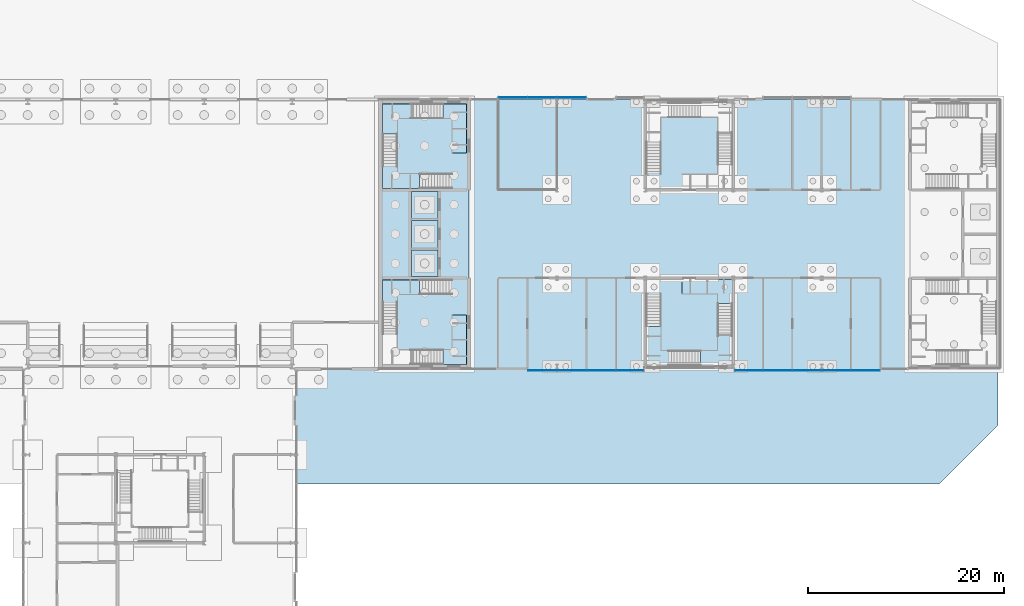
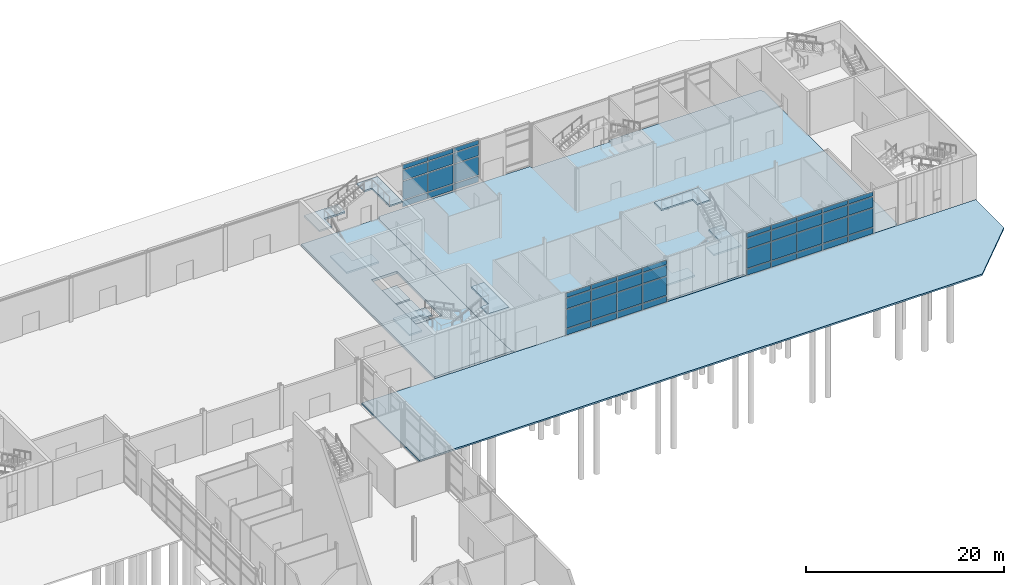
# One storey, part 24 of 45: 48 plates, 14 slabs, 6 elements without a shape of their own.
"""IFC4 building model written with IfcOpenShell, lengths in metres."""

from ifc_helpers import new_model, si_unit, direction, frame, origin, origin_2d, place, context, subcontext, project, spatial, polyline, rectangle, outline, extrude, material, layer, layer_set, type_object, element, aggregate, save


model = new_model("IFC4")

# Units and contexts
model_context = context("Model", 3, precision=1e-05, world=origin(), true_north=direction((0.0, 1.0)))
body_context = subcontext(model_context, "Body", "Model", "MODEL_VIEW")
ifc_project = project(units=[si_unit("LENGTHUNIT", "METRE"), si_unit("AREAUNIT", "SQUARE_METRE"), si_unit("VOLUMEUNIT", "CUBIC_METRE"), si_unit("PLANEANGLEUNIT", "RADIAN"), si_unit("MASSUNIT", "GRAM", prefix="KILO")], contexts=[model_context])

# Site, building, storey
site_placement = place(None, origin())
site = spatial("IfcSite", under=ifc_project, at=site_placement, CompositionType="ELEMENT")
building_placement = place(site_placement, origin())
building = spatial("IfcBuilding", under=site, at=building_placement, Name="Azimuth Sports and Learning Centre", CompositionType="ELEMENT")
storey_placement = place(building_placement, origin())
storey = spatial("IfcBuildingStorey", under=building, at=storey_placement, Name="L00", CompositionType="ELEMENT", Elevation=0.0)

# Stair, slabs
ifc_material_1 = material(Name="Concrete C32/40", Category="concrete")
stair_type_1 = type_object("IfcStairType", Name="Square-well stair core 5400 storey", PredefinedType="THREE_QUARTER_TURN_STAIR", material=ifc_material_1)
stair_1_placement = place(storey_placement, origin())
stair_1 = element("IfcStair", 1, at=stair_1_placement, inside=storey, type_object=stair_type_1, Name="Stair E1 L00-L01", PredefinedType="THREE_QUARTER_TURN_STAIR")
ifc_material_2 = material(Name="Concrete C32/40", Category="concrete")
ifc_layer_1 = layer(ifc_material_2, 0.199951171875)
ifc_layer_set_1 = layer_set([ifc_layer_1], Name="Concrete C32/40")
slab_type_1 = type_object("IfcSlabType", Name="Concrete stair landing", PredefinedType="LANDING", material=ifc_layer_set_1)
slab_1_placement = place(storey_placement, frame((0.0, 0.0, 1.60009765625)))
slab_1 = element("IfcSlab", 2, at=slab_1_placement, type_object=slab_type_1, Name="Stair E1 L00 landing 1", PredefinedType="LANDING", context=body_context, shape_type="SweptSolid", body=[
    extrude(outline(polyline([(109.7099609375, 97.340087890625), (111.99072265625, 97.340087890625), (111.99072265625, 98.840087890625), (108.2099609375, 98.840087890625), (108.2099609375, 95.489990234375), (109.7099609375, 95.489990234375), (109.7099609375, 97.340087890625)])), origin(), (0.0, 0.0, 1.0), 0.199951171875),
])
slab_2_placement = place(storey_placement, frame((0.0, 0.0, 5.199951171875)))
slab_2 = element("IfcSlab", 3, at=slab_2_placement, type_object=slab_type_1, Name="Stair E1 L00 landing 3", PredefinedType="LANDING", context=body_context, shape_type="SweptSolid", body=[
    extrude(outline(polyline([(115.2900390625, 91.7099609375), (114.359375, 91.7099609375), (114.359375, 90.2099609375), (116.7900390625, 90.2099609375), (116.7900390625, 95.25), (115.2900390625, 95.25), (115.2900390625, 91.7099609375)])), origin(), (0.0, 0.0, 1.0), 0.199951171875),
])
aggregate(stair_1, [slab_1, slab_2])

stair_2_placement = place(storey_placement, origin())
stair_2 = element("IfcStair", 4, at=stair_2_placement, inside=storey, type_object=stair_type_1, Name="Stair E2 L00-L01", PredefinedType="THREE_QUARTER_TURN_STAIR")
slab_3_placement = place(storey_placement, frame((0.0, 0.0, 1.60009765625)))
slab_3 = element("IfcSlab", 5, at=slab_3_placement, type_object=slab_type_1, Name="Stair E2 L00 landing 1", PredefinedType="LANDING", context=body_context, shape_type="SweptSolid", body=[
    extrude(outline(polyline([(109.7099609375, 109.659912109375), (109.7099609375, 111.510009765625), (108.2099609375, 111.510009765625), (108.2099609375, 108.159912109375), (111.99072265625, 108.159912109375), (111.99072265625, 109.659912109375), (109.7099609375, 109.659912109375)])), origin(), (0.0, 0.0, 1.0), 0.199951171875),
])
slab_4_placement = place(storey_placement, frame((0.0, 0.0, 3.39990234375)))
slab_4 = element("IfcSlab", 6, at=slab_4_placement, type_object=slab_type_1, Name="Stair E2 L00 landing 2", PredefinedType="LANDING", context=body_context, shape_type="SweptSolid", body=[
    extrude(outline(polyline([(109.7099609375, 115.2900390625), (112.159912109375, 115.2900390625), (112.159912109375, 116.7900390625), (108.2099609375, 116.7900390625), (108.2099609375, 113.709228515625), (109.7099609375, 113.709228515625), (109.7099609375, 115.2900390625)])), origin(), (0.0, 0.0, 1.0), 0.2001953125),
])
slab_5_placement = place(storey_placement, frame((0.0, 0.0, 5.199951171875)))
slab_5 = element("IfcSlab", 7, at=slab_5_placement, type_object=slab_type_1, Name="Stair E2 L00 landing 3", PredefinedType="LANDING", context=body_context, shape_type="SweptSolid", body=[
    extrude(outline(polyline([(115.2900390625, 115.2900390625), (115.2900390625, 111.75), (116.7900390625, 111.75), (116.7900390625, 116.7900390625), (114.359375, 116.7900390625), (114.359375, 115.2900390625), (115.2900390625, 115.2900390625)])), origin(), (0.0, 0.0, 1.0), 0.199951171875),
])
aggregate(stair_2, [slab_3, slab_4, slab_5])

ifc_material_3 = material(Name="Concrete C32/40", Category="concrete")
stair_type_2 = type_object("IfcStairType", Name="Square-well stair mid-wing cell 5400 storey", PredefinedType="THREE_QUARTER_TURN_STAIR", material=ifc_material_3)
stair_3_placement = place(storey_placement, origin())
stair_3 = element("IfcStair", 8, at=stair_3_placement, inside=storey, type_object=stair_type_2, Name="Stair EM1 L00-L01", PredefinedType="THREE_QUARTER_TURN_STAIR")
slab_6_placement = place(storey_placement, frame((0.0, 0.0, 1.60009765625)))
slab_6 = element("IfcSlab", 9, at=slab_6_placement, type_object=slab_type_1, Name="Stair EM1 L00 landing 1", PredefinedType="LANDING", context=body_context, shape_type="SweptSolid", body=[
    extrude(outline(polyline([(136.610107421875, 91.610107421875), (136.610107421875, 94.0908203125), (135.110107421875, 94.0908203125), (135.110107421875, 90.110107421875), (138.4599609375, 90.110107421875), (138.4599609375, 91.610107421875), (136.610107421875, 91.610107421875)])), origin(), (0.0, 0.0, 1.0), 0.199951171875),
])
slab_7_placement = place(storey_placement, frame((0.0, 0.0, 3.39990234375)))
slab_7 = element("IfcSlab", 10, at=slab_7_placement, type_object=slab_type_1, Name="Stair EM1 L00 landing 2", PredefinedType="LANDING", context=body_context, shape_type="SweptSolid", body=[
    extrude(outline(polyline([(142.389892578125, 91.610107421875), (140.6591796875, 91.610107421875), (140.6591796875, 90.110107421875), (143.889892578125, 90.110107421875), (143.889892578125, 94.2099609375), (142.389892578125, 94.2099609375), (142.389892578125, 91.610107421875)])), origin(), (0.0, 0.0, 1.0), 0.2001953125),
])
slab_8_placement = place(storey_placement, frame((0.0, 0.0, 5.199951171875)))
slab_8 = element("IfcSlab", 11, at=slab_8_placement, type_object=slab_type_1, Name="Stair EM1 L00 landing 3", PredefinedType="LANDING", context=body_context, shape_type="SweptSolid", body=[
    extrude(outline(polyline([(142.389892578125, 97.389892578125), (142.389892578125, 96.4091796875), (143.889892578125, 96.4091796875), (143.889892578125, 98.889892578125), (138.75, 98.889892578125), (138.75, 97.389892578125), (142.389892578125, 97.389892578125)])), origin(), (0.0, 0.0, 1.0), 0.199951171875),
])
aggregate(stair_3, [slab_6, slab_7, slab_8])

# Slabs
ifc_material_4 = material(Name="Concrete C30/37", Category="concrete")
ifc_layer_2 = layer(ifc_material_4, 0.300048828125)
ifc_layer_set_2 = layer_set([ifc_layer_2], Name="Concrete C30/37")
slab_type_2 = type_object("IfcSlabType", Name="Core ground slab 300", PredefinedType="BASESLAB", material=ifc_layer_set_2)
slab_9_placement = place(storey_placement, frame((0.0, 0.0, -0.300048828125)))
element("IfcSlab", 12, at=slab_9_placement, inside=storey, type_object=slab_type_2, Name="Slab East core L00", PredefinedType="BASESLAB", context=body_context, shape_type="SweptSolid", body=[
    extrude(outline(polyline([(108.0, 90.0), (117.0, 90.0), (117.0, 117.0), (108.0, 117.0), (108.0, 90.0)]), holes=[polyline([(111.0, 99.0), (111.0, 108.0), (114.0, 108.0), (114.0, 99.0), (111.0, 99.0)])]), origin(), (0.0, 0.0, 1.0), 0.300048828125),
])
ifc_material_5 = material(Name="Concrete C32/40", Category="concrete")
ifc_layer_3 = layer(ifc_material_5, 0.300048828125)
ifc_layer_set_3 = layer_set([ifc_layer_3], Name="Concrete C32/40")
slab_type_3 = type_object("IfcSlabType", Name="Lift pit slab 300", PredefinedType="BASESLAB", material=ifc_layer_set_3)
slab_10_placement = place(storey_placement, frame((0.0, 0.0, -1.89990234375)))
element("IfcSlab", 13, at=slab_10_placement, inside=storey, type_object=slab_type_3, Name="Lift pit floor LE1", PredefinedType="BASESLAB", context=body_context, shape_type="SweptSolid", body=[
    extrude(outline(polyline([(111.14990234375, 99.14990234375), (113.85009765625, 99.14990234375), (113.85009765625, 101.89990234375), (111.14990234375, 101.89990234375), (111.14990234375, 99.14990234375)])), origin(), (0.0, 0.0, 1.0), 0.2998046875),
])
slab_11_placement = place(storey_placement, frame((0.0, 0.0, -1.89990234375)))
element("IfcSlab", 14, at=slab_11_placement, inside=storey, type_object=slab_type_3, Name="Lift pit floor LE2", PredefinedType="BASESLAB", context=body_context, shape_type="SweptSolid", body=[
    extrude(outline(polyline([(111.14990234375, 102.10009765625), (113.85009765625, 102.10009765625), (113.85009765625, 104.89990234375), (111.14990234375, 104.89990234375), (111.14990234375, 102.10009765625)])), origin(), (0.0, 0.0, 1.0), 0.2998046875),
])
slab_12_placement = place(storey_placement, frame((0.0, 0.0, -1.89990234375)))
element("IfcSlab", 15, at=slab_12_placement, inside=storey, type_object=slab_type_3, Name="Lift pit floor LE3", PredefinedType="BASESLAB", context=body_context, shape_type="SweptSolid", body=[
    extrude(outline(polyline([(111.14990234375, 105.10009765625), (113.85009765625, 105.10009765625), (113.85009765625, 107.85009765625), (111.14990234375, 107.85009765625), (111.14990234375, 105.10009765625)])), origin(), (0.0, 0.0, 1.0), 0.2998046875),
])
ifc_material_6 = material(Name="Concrete C25/30", Category="concrete")
ifc_layer_4 = layer(ifc_material_6, 0.199951171875)
ifc_layer_set_4 = layer_set([ifc_layer_4], Name="Concrete C25/30")
slab_type_4 = type_object("IfcSlabType", Name="Paving slab 200", PredefinedType="USERDEFINED", material=ifc_layer_set_4)
slab_13_placement = place(storey_placement, frame((0.0, 0.0, -0.199951171875)))
element("IfcSlab", 16, at=slab_13_placement, inside=storey, type_object=slab_type_4, Name="Slab South-east paving L00", ObjectType="PAVING", PredefinedType="USERDEFINED", context=body_context, shape_type="SweptSolid", body=[
    extrude(outline(polyline([(99.300048828125, 78.0), (165.0, 78.0), (171.0, 84.0), (171.0, 89.699951171875), (99.300048828125, 89.699951171875), (99.300048828125, 78.0)])), origin(), (0.0, 0.0, 1.0), 0.199951171875),
])

# Curtain wall, plates
ifc_material_7 = material(Name="Aluminium and glass", Category="aluminium")
curtain_wall_type = type_object("IfcCurtainWallType", Name="Curtain wall podium wing 240", PredefinedType="NOTDEFINED", material=ifc_material_7)
curtain_wall_1_placement = place(storey_placement, origin())
curtain_wall_1 = element("IfcCurtainWall", 17, at=curtain_wall_1_placement, inside=storey, type_object=curtain_wall_type, Name="Curtain wall CW00-009", PredefinedType="NOTDEFINED")
ifc_material_8 = material(Name="Insulated aluminium panel", Category="aluminium")
ifc_layer_5 = layer(ifc_material_8, 0.06005859375)
ifc_layer_set_5 = layer_set([ifc_layer_5], Name="Insulated aluminium panel")
plate_type_1 = type_object("IfcPlateType", Name="Spandrel panel 60 mm", PredefinedType="CURTAIN_PANEL", material=ifc_layer_set_5)
plate_1_placement = place(storey_placement, frame((124.52001953125, 89.580078125, 0.1201171875), z_axis=(0.0, 0.0, 1.0), x_axis=(1.0, 0.0, 0.0)))
plate_1 = element("IfcPlate", 18, at=plate_1_placement, type_object=plate_type_1, Name="CW00-009 panel 1.1", PredefinedType="CURTAIN_PANEL", context=body_context, shape_type="SweptSolid", body=[
    extrude(rectangle(XDim=2.8798828125, YDim=0.06005859375, at=origin_2d()), origin(), (0.0, 0.0, 1.0), 0.719970703125),
])
plate_2_placement = place(storey_placement, frame((124.52001953125, 89.580078125, 4.760009765625), z_axis=(0.0, 0.0, 1.0), x_axis=(1.0, 0.0, 0.0)))
plate_2 = element("IfcPlate", 19, at=plate_2_placement, type_object=plate_type_1, Name="CW00-009 panel 1.4", PredefinedType="CURTAIN_PANEL", context=body_context, shape_type="SweptSolid", body=[
    extrude(rectangle(XDim=2.8798828125, YDim=0.06005859375, at=origin_2d()), origin(), (0.0, 0.0, 1.0), 0.52001953125),
])
plate_3_placement = place(storey_placement, frame((127.5, 89.580078125, 0.1201171875), z_axis=(0.0, 0.0, 1.0), x_axis=(1.0, 0.0, 0.0)))
plate_3 = element("IfcPlate", 20, at=plate_3_placement, type_object=plate_type_1, Name="CW00-009 panel 2.1", PredefinedType="CURTAIN_PANEL", context=body_context, shape_type="SweptSolid", body=[
    extrude(rectangle(XDim=2.919921875, YDim=0.06005859375, at=origin_2d()), origin(), (0.0, 0.0, 1.0), 0.719970703125),
])
plate_4_placement = place(storey_placement, frame((127.5, 89.580078125, 4.760009765625), z_axis=(0.0, 0.0, 1.0), x_axis=(1.0, 0.0, 0.0)))
plate_4 = element("IfcPlate", 21, at=plate_4_placement, type_object=plate_type_1, Name="CW00-009 panel 2.4", PredefinedType="CURTAIN_PANEL", context=body_context, shape_type="SweptSolid", body=[
    extrude(rectangle(XDim=2.919921875, YDim=0.06005859375, at=origin_2d()), origin(), (0.0, 0.0, 1.0), 0.52001953125),
])
plate_5_placement = place(storey_placement, frame((130.5, 89.580078125, 0.1201171875), z_axis=(0.0, 0.0, 1.0), x_axis=(1.0, 0.0, 0.0)))
plate_5 = element("IfcPlate", 22, at=plate_5_placement, type_object=plate_type_1, Name="CW00-009 panel 3.1", PredefinedType="CURTAIN_PANEL", context=body_context, shape_type="SweptSolid", body=[
    extrude(rectangle(XDim=2.919921875, YDim=0.06005859375, at=origin_2d()), origin(), (0.0, 0.0, 1.0), 0.719970703125),
])
plate_6_placement = place(storey_placement, frame((130.5, 89.580078125, 4.760009765625), z_axis=(0.0, 0.0, 1.0), x_axis=(1.0, 0.0, 0.0)))
plate_6 = element("IfcPlate", 23, at=plate_6_placement, type_object=plate_type_1, Name="CW00-009 panel 3.4", PredefinedType="CURTAIN_PANEL", context=body_context, shape_type="SweptSolid", body=[
    extrude(rectangle(XDim=2.919921875, YDim=0.06005859375, at=origin_2d()), origin(), (0.0, 0.0, 1.0), 0.52001953125),
])
plate_7_placement = place(storey_placement, frame((133.429931640625, 89.580078125, 0.1201171875), z_axis=(0.0, 0.0, 1.0), x_axis=(1.0, 0.0, 0.0)))
plate_7 = element("IfcPlate", 24, at=plate_7_placement, type_object=plate_type_1, Name="CW00-009 panel 4.1", PredefinedType="CURTAIN_PANEL", context=body_context, shape_type="SweptSolid", body=[
    extrude(rectangle(XDim=2.780029296875, YDim=0.06005859375, at=origin_2d()), origin(), (0.0, 0.0, 1.0), 0.719970703125),
])
plate_8_placement = place(storey_placement, frame((133.429931640625, 89.580078125, 4.760009765625), z_axis=(0.0, 0.0, 1.0), x_axis=(1.0, 0.0, 0.0)))
plate_8 = element("IfcPlate", 25, at=plate_8_placement, type_object=plate_type_1, Name="CW00-009 panel 4.4", PredefinedType="CURTAIN_PANEL", context=body_context, shape_type="SweptSolid", body=[
    extrude(rectangle(XDim=2.780029296875, YDim=0.06005859375, at=origin_2d()), origin(), (0.0, 0.0, 1.0), 0.52001953125),
])

curtain_wall_2_placement = place(storey_placement, origin())
curtain_wall_2 = element("IfcCurtainWall", 26, at=curtain_wall_2_placement, inside=storey, type_object=curtain_wall_type, Name="Curtain wall CW00-010", PredefinedType="NOTDEFINED")
plate_9_placement = place(storey_placement, frame((145.570068359375, 89.580078125, 0.1201171875), z_axis=(0.0, 0.0, 1.0), x_axis=(1.0, 0.0, 0.0)))
plate_9 = element("IfcPlate", 27, at=plate_9_placement, type_object=plate_type_1, Name="CW00-010 panel 1.1", PredefinedType="CURTAIN_PANEL", context=body_context, shape_type="SweptSolid", body=[
    extrude(rectangle(XDim=2.780029296875, YDim=0.06005859375, at=origin_2d()), origin(), (0.0, 0.0, 1.0), 0.719970703125),
])
plate_10_placement = place(storey_placement, frame((145.570068359375, 89.580078125, 4.760009765625), z_axis=(0.0, 0.0, 1.0), x_axis=(1.0, 0.0, 0.0)))
plate_10 = element("IfcPlate", 28, at=plate_10_placement, type_object=plate_type_1, Name="CW00-010 panel 1.4", PredefinedType="CURTAIN_PANEL", context=body_context, shape_type="SweptSolid", body=[
    extrude(rectangle(XDim=2.780029296875, YDim=0.06005859375, at=origin_2d()), origin(), (0.0, 0.0, 1.0), 0.52001953125),
])
plate_11_placement = place(storey_placement, frame((148.5, 89.580078125, 0.1201171875), z_axis=(0.0, 0.0, 1.0), x_axis=(1.0, 0.0, 0.0)))
plate_11 = element("IfcPlate", 29, at=plate_11_placement, type_object=plate_type_1, Name="CW00-010 panel 2.1", PredefinedType="CURTAIN_PANEL", context=body_context, shape_type="SweptSolid", body=[
    extrude(rectangle(XDim=2.919921875, YDim=0.06005859375, at=origin_2d()), origin(), (0.0, 0.0, 1.0), 0.719970703125),
])
plate_12_placement = place(storey_placement, frame((148.5, 89.580078125, 4.760009765625), z_axis=(0.0, 0.0, 1.0), x_axis=(1.0, 0.0, 0.0)))
plate_12 = element("IfcPlate", 30, at=plate_12_placement, type_object=plate_type_1, Name="CW00-010 panel 2.4", PredefinedType="CURTAIN_PANEL", context=body_context, shape_type="SweptSolid", body=[
    extrude(rectangle(XDim=2.919921875, YDim=0.06005859375, at=origin_2d()), origin(), (0.0, 0.0, 1.0), 0.52001953125),
])
plate_13_placement = place(storey_placement, frame((151.5, 89.580078125, 0.1201171875), z_axis=(0.0, 0.0, 1.0), x_axis=(1.0, 0.0, 0.0)))
plate_13 = element("IfcPlate", 31, at=plate_13_placement, type_object=plate_type_1, Name="CW00-010 panel 3.1", PredefinedType="CURTAIN_PANEL", context=body_context, shape_type="SweptSolid", body=[
    extrude(rectangle(XDim=2.919921875, YDim=0.06005859375, at=origin_2d()), origin(), (0.0, 0.0, 1.0), 0.719970703125),
])
plate_14_placement = place(storey_placement, frame((151.5, 89.580078125, 4.760009765625), z_axis=(0.0, 0.0, 1.0), x_axis=(1.0, 0.0, 0.0)))
plate_14 = element("IfcPlate", 32, at=plate_14_placement, type_object=plate_type_1, Name="CW00-010 panel 3.4", PredefinedType="CURTAIN_PANEL", context=body_context, shape_type="SweptSolid", body=[
    extrude(rectangle(XDim=2.919921875, YDim=0.06005859375, at=origin_2d()), origin(), (0.0, 0.0, 1.0), 0.52001953125),
])
plate_15_placement = place(storey_placement, frame((154.5, 89.580078125, 0.1201171875), z_axis=(0.0, 0.0, 1.0), x_axis=(1.0, 0.0, 0.0)))
plate_15 = element("IfcPlate", 33, at=plate_15_placement, type_object=plate_type_1, Name="CW00-010 panel 4.1", PredefinedType="CURTAIN_PANEL", context=body_context, shape_type="SweptSolid", body=[
    extrude(rectangle(XDim=2.919921875, YDim=0.06005859375, at=origin_2d()), origin(), (0.0, 0.0, 1.0), 0.719970703125),
])
plate_16_placement = place(storey_placement, frame((154.5, 89.580078125, 4.760009765625), z_axis=(0.0, 0.0, 1.0), x_axis=(1.0, 0.0, 0.0)))
plate_16 = element("IfcPlate", 34, at=plate_16_placement, type_object=plate_type_1, Name="CW00-010 panel 4.4", PredefinedType="CURTAIN_PANEL", context=body_context, shape_type="SweptSolid", body=[
    extrude(rectangle(XDim=2.919921875, YDim=0.06005859375, at=origin_2d()), origin(), (0.0, 0.0, 1.0), 0.52001953125),
])
plate_17_placement = place(storey_placement, frame((157.47998046875, 89.580078125, 0.1201171875), z_axis=(0.0, 0.0, 1.0), x_axis=(1.0, 0.0, 0.0)))
plate_17 = element("IfcPlate", 35, at=plate_17_placement, type_object=plate_type_1, Name="CW00-010 panel 5.1", PredefinedType="CURTAIN_PANEL", context=body_context, shape_type="SweptSolid", body=[
    extrude(rectangle(XDim=2.8798828125, YDim=0.06005859375, at=origin_2d()), origin(), (0.0, 0.0, 1.0), 0.719970703125),
])
plate_18_placement = place(storey_placement, frame((157.47998046875, 89.580078125, 4.760009765625), z_axis=(0.0, 0.0, 1.0), x_axis=(1.0, 0.0, 0.0)))
plate_18 = element("IfcPlate", 36, at=plate_18_placement, type_object=plate_type_1, Name="CW00-010 panel 5.4", PredefinedType="CURTAIN_PANEL", context=body_context, shape_type="SweptSolid", body=[
    extrude(rectangle(XDim=2.8798828125, YDim=0.06005859375, at=origin_2d()), origin(), (0.0, 0.0, 1.0), 0.52001953125),
])

curtain_wall_3_placement = place(storey_placement, origin())
curtain_wall_3 = element("IfcCurtainWall", 37, at=curtain_wall_3_placement, inside=storey, type_object=curtain_wall_type, Name="Curtain wall CW00-013", PredefinedType="NOTDEFINED")
plate_19_placement = place(storey_placement, frame((127.47998046875, 117.419921875, 0.1201171875), z_axis=(0.0, 0.0, 1.0), x_axis=(-1.0, 0.0, 0.0)))
plate_19 = element("IfcPlate", 38, at=plate_19_placement, type_object=plate_type_1, Name="CW00-013 panel 1.1", PredefinedType="CURTAIN_PANEL", context=body_context, shape_type="SweptSolid", body=[
    extrude(rectangle(XDim=2.8798828125, YDim=0.06005859375, at=origin_2d()), origin(), (0.0, 0.0, 1.0), 0.719970703125),
])
plate_20_placement = place(storey_placement, frame((127.47998046875, 117.419921875, 4.760009765625), z_axis=(0.0, 0.0, 1.0), x_axis=(-1.0, 0.0, 0.0)))
plate_20 = element("IfcPlate", 39, at=plate_20_placement, type_object=plate_type_1, Name="CW00-013 panel 1.4", PredefinedType="CURTAIN_PANEL", context=body_context, shape_type="SweptSolid", body=[
    extrude(rectangle(XDim=2.8798828125, YDim=0.06005859375, at=origin_2d()), origin(), (0.0, 0.0, 1.0), 0.52001953125),
])
plate_21_placement = place(storey_placement, frame((124.5, 117.419921875, 0.1201171875), z_axis=(0.0, 0.0, 1.0), x_axis=(-1.0, 0.0, 0.0)))
plate_21 = element("IfcPlate", 40, at=plate_21_placement, type_object=plate_type_1, Name="CW00-013 panel 2.1", PredefinedType="CURTAIN_PANEL", context=body_context, shape_type="SweptSolid", body=[
    extrude(rectangle(XDim=2.919921875, YDim=0.06005859375, at=origin_2d()), origin(), (0.0, 0.0, 1.0), 0.719970703125),
])
plate_22_placement = place(storey_placement, frame((124.5, 117.419921875, 4.760009765625), z_axis=(0.0, 0.0, 1.0), x_axis=(-1.0, 0.0, 0.0)))
plate_22 = element("IfcPlate", 41, at=plate_22_placement, type_object=plate_type_1, Name="CW00-013 panel 2.4", PredefinedType="CURTAIN_PANEL", context=body_context, shape_type="SweptSolid", body=[
    extrude(rectangle(XDim=2.919921875, YDim=0.06005859375, at=origin_2d()), origin(), (0.0, 0.0, 1.0), 0.52001953125),
])
plate_23_placement = place(storey_placement, frame((121.52001953125, 117.419921875, 0.1201171875), z_axis=(0.0, 0.0, 1.0), x_axis=(-1.0, 0.0, 0.0)))
plate_23 = element("IfcPlate", 42, at=plate_23_placement, type_object=plate_type_1, Name="CW00-013 panel 3.1", PredefinedType="CURTAIN_PANEL", context=body_context, shape_type="SweptSolid", body=[
    extrude(rectangle(XDim=2.8798828125, YDim=0.06005859375, at=origin_2d()), origin(), (0.0, 0.0, 1.0), 0.719970703125),
])
plate_24_placement = place(storey_placement, frame((121.52001953125, 117.419921875, 4.760009765625), z_axis=(0.0, 0.0, 1.0), x_axis=(-1.0, 0.0, 0.0)))
plate_24 = element("IfcPlate", 43, at=plate_24_placement, type_object=plate_type_1, Name="CW00-013 panel 3.4", PredefinedType="CURTAIN_PANEL", context=body_context, shape_type="SweptSolid", body=[
    extrude(rectangle(XDim=2.8798828125, YDim=0.06005859375, at=origin_2d()), origin(), (0.0, 0.0, 1.0), 0.52001953125),
])

# Plate
ifc_material_9 = material(Name="Glass", Category="glass")
ifc_layer_6 = layer(ifc_material_9, 0.0439453125)
ifc_layer_set_6 = layer_set([ifc_layer_6], Name="Glass")
plate_type_2 = type_object("IfcPlateType", Name="Vision glass 44 mm", PredefinedType="CURTAIN_PANEL", material=ifc_layer_set_6)
plate_25_placement = place(storey_placement, frame((124.52001953125, 89.580078125, 0.9599609375), z_axis=(0.0, 0.0, 1.0), x_axis=(1.0, 0.0, 0.0)))
plate_25 = element("IfcPlate", 44, at=plate_25_placement, type_object=plate_type_2, Name="CW00-009 panel 1.2", PredefinedType="CURTAIN_PANEL", context=body_context, shape_type="SweptSolid", body=[
    extrude(rectangle(XDim=2.8798828125, YDim=0.0439453125, at=origin_2d()), origin(), (0.0, 0.0, 1.0), 2.280029296875),
])

plate_26_placement = place(storey_placement, frame((124.52001953125, 89.580078125, 3.35986328125), z_axis=(0.0, 0.0, 1.0), x_axis=(1.0, 0.0, 0.0)))
plate_26 = element("IfcPlate", 45, at=plate_26_placement, type_object=plate_type_2, Name="CW00-009 panel 1.3", PredefinedType="CURTAIN_PANEL", context=body_context, shape_type="SweptSolid", body=[
    extrude(rectangle(XDim=2.8798828125, YDim=0.0439453125, at=origin_2d()), origin(), (0.0, 0.0, 1.0), 1.280029296875),
])

plate_27_placement = place(storey_placement, frame((127.5, 89.580078125, 0.9599609375), z_axis=(0.0, 0.0, 1.0), x_axis=(1.0, 0.0, 0.0)))
plate_27 = element("IfcPlate", 46, at=plate_27_placement, type_object=plate_type_2, Name="CW00-009 panel 2.2", PredefinedType="CURTAIN_PANEL", context=body_context, shape_type="SweptSolid", body=[
    extrude(rectangle(XDim=2.919921875, YDim=0.0439453125, at=origin_2d()), origin(), (0.0, 0.0, 1.0), 2.280029296875),
])

plate_28_placement = place(storey_placement, frame((127.5, 89.580078125, 3.35986328125), z_axis=(0.0, 0.0, 1.0), x_axis=(1.0, 0.0, 0.0)))
plate_28 = element("IfcPlate", 47, at=plate_28_placement, type_object=plate_type_2, Name="CW00-009 panel 2.3", PredefinedType="CURTAIN_PANEL", context=body_context, shape_type="SweptSolid", body=[
    extrude(rectangle(XDim=2.919921875, YDim=0.0439453125, at=origin_2d()), origin(), (0.0, 0.0, 1.0), 1.280029296875),
])

plate_29_placement = place(storey_placement, frame((130.5, 89.580078125, 0.9599609375), z_axis=(0.0, 0.0, 1.0), x_axis=(1.0, 0.0, 0.0)))
plate_29 = element("IfcPlate", 48, at=plate_29_placement, type_object=plate_type_2, Name="CW00-009 panel 3.2", PredefinedType="CURTAIN_PANEL", context=body_context, shape_type="SweptSolid", body=[
    extrude(rectangle(XDim=2.919921875, YDim=0.0439453125, at=origin_2d()), origin(), (0.0, 0.0, 1.0), 2.280029296875),
])

plate_30_placement = place(storey_placement, frame((130.5, 89.580078125, 3.35986328125), z_axis=(0.0, 0.0, 1.0), x_axis=(1.0, 0.0, 0.0)))
plate_30 = element("IfcPlate", 49, at=plate_30_placement, type_object=plate_type_2, Name="CW00-009 panel 3.3", PredefinedType="CURTAIN_PANEL", context=body_context, shape_type="SweptSolid", body=[
    extrude(rectangle(XDim=2.919921875, YDim=0.0439453125, at=origin_2d()), origin(), (0.0, 0.0, 1.0), 1.280029296875),
])

plate_31_placement = place(storey_placement, frame((133.429931640625, 89.580078125, 0.9599609375), z_axis=(0.0, 0.0, 1.0), x_axis=(1.0, 0.0, 0.0)))
plate_31 = element("IfcPlate", 50, at=plate_31_placement, type_object=plate_type_2, Name="CW00-009 panel 4.2", PredefinedType="CURTAIN_PANEL", context=body_context, shape_type="SweptSolid", body=[
    extrude(rectangle(XDim=2.780029296875, YDim=0.0439453125, at=origin_2d()), origin(), (0.0, 0.0, 1.0), 2.280029296875),
])

plate_32_placement = place(storey_placement, frame((133.429931640625, 89.580078125, 3.35986328125), z_axis=(0.0, 0.0, 1.0), x_axis=(1.0, 0.0, 0.0)))
plate_32 = element("IfcPlate", 51, at=plate_32_placement, type_object=plate_type_2, Name="CW00-009 panel 4.3", PredefinedType="CURTAIN_PANEL", context=body_context, shape_type="SweptSolid", body=[
    extrude(rectangle(XDim=2.780029296875, YDim=0.0439453125, at=origin_2d()), origin(), (0.0, 0.0, 1.0), 1.280029296875),
])

aggregate(curtain_wall_1, [plate_1, plate_25, plate_26, plate_2, plate_3, plate_27, plate_28, plate_4, plate_5, plate_29, plate_30, plate_6, plate_7, plate_31, plate_32, plate_8])

plate_33_placement = place(storey_placement, frame((145.570068359375, 89.580078125, 0.9599609375), z_axis=(0.0, 0.0, 1.0), x_axis=(1.0, 0.0, 0.0)))
plate_33 = element("IfcPlate", 52, at=plate_33_placement, type_object=plate_type_2, Name="CW00-010 panel 1.2", PredefinedType="CURTAIN_PANEL", context=body_context, shape_type="SweptSolid", body=[
    extrude(rectangle(XDim=2.780029296875, YDim=0.0439453125, at=origin_2d()), origin(), (0.0, 0.0, 1.0), 2.280029296875),
])

plate_34_placement = place(storey_placement, frame((145.570068359375, 89.580078125, 3.35986328125), z_axis=(0.0, 0.0, 1.0), x_axis=(1.0, 0.0, 0.0)))
plate_34 = element("IfcPlate", 53, at=plate_34_placement, type_object=plate_type_2, Name="CW00-010 panel 1.3", PredefinedType="CURTAIN_PANEL", context=body_context, shape_type="SweptSolid", body=[
    extrude(rectangle(XDim=2.780029296875, YDim=0.0439453125, at=origin_2d()), origin(), (0.0, 0.0, 1.0), 1.280029296875),
])

plate_35_placement = place(storey_placement, frame((148.5, 89.580078125, 0.9599609375), z_axis=(0.0, 0.0, 1.0), x_axis=(1.0, 0.0, 0.0)))
plate_35 = element("IfcPlate", 54, at=plate_35_placement, type_object=plate_type_2, Name="CW00-010 panel 2.2", PredefinedType="CURTAIN_PANEL", context=body_context, shape_type="SweptSolid", body=[
    extrude(rectangle(XDim=2.919921875, YDim=0.0439453125, at=origin_2d()), origin(), (0.0, 0.0, 1.0), 2.280029296875),
])

plate_36_placement = place(storey_placement, frame((148.5, 89.580078125, 3.35986328125), z_axis=(0.0, 0.0, 1.0), x_axis=(1.0, 0.0, 0.0)))
plate_36 = element("IfcPlate", 55, at=plate_36_placement, type_object=plate_type_2, Name="CW00-010 panel 2.3", PredefinedType="CURTAIN_PANEL", context=body_context, shape_type="SweptSolid", body=[
    extrude(rectangle(XDim=2.919921875, YDim=0.0439453125, at=origin_2d()), origin(), (0.0, 0.0, 1.0), 1.280029296875),
])

plate_37_placement = place(storey_placement, frame((151.5, 89.580078125, 0.9599609375), z_axis=(0.0, 0.0, 1.0), x_axis=(1.0, 0.0, 0.0)))
plate_37 = element("IfcPlate", 56, at=plate_37_placement, type_object=plate_type_2, Name="CW00-010 panel 3.2", PredefinedType="CURTAIN_PANEL", context=body_context, shape_type="SweptSolid", body=[
    extrude(rectangle(XDim=2.919921875, YDim=0.0439453125, at=origin_2d()), origin(), (0.0, 0.0, 1.0), 2.280029296875),
])

plate_38_placement = place(storey_placement, frame((151.5, 89.580078125, 3.35986328125), z_axis=(0.0, 0.0, 1.0), x_axis=(1.0, 0.0, 0.0)))
plate_38 = element("IfcPlate", 57, at=plate_38_placement, type_object=plate_type_2, Name="CW00-010 panel 3.3", PredefinedType="CURTAIN_PANEL", context=body_context, shape_type="SweptSolid", body=[
    extrude(rectangle(XDim=2.919921875, YDim=0.0439453125, at=origin_2d()), origin(), (0.0, 0.0, 1.0), 1.280029296875),
])

plate_39_placement = place(storey_placement, frame((154.5, 89.580078125, 0.9599609375), z_axis=(0.0, 0.0, 1.0), x_axis=(1.0, 0.0, 0.0)))
plate_39 = element("IfcPlate", 58, at=plate_39_placement, type_object=plate_type_2, Name="CW00-010 panel 4.2", PredefinedType="CURTAIN_PANEL", context=body_context, shape_type="SweptSolid", body=[
    extrude(rectangle(XDim=2.919921875, YDim=0.0439453125, at=origin_2d()), origin(), (0.0, 0.0, 1.0), 2.280029296875),
])

plate_40_placement = place(storey_placement, frame((154.5, 89.580078125, 3.35986328125), z_axis=(0.0, 0.0, 1.0), x_axis=(1.0, 0.0, 0.0)))
plate_40 = element("IfcPlate", 59, at=plate_40_placement, type_object=plate_type_2, Name="CW00-010 panel 4.3", PredefinedType="CURTAIN_PANEL", context=body_context, shape_type="SweptSolid", body=[
    extrude(rectangle(XDim=2.919921875, YDim=0.0439453125, at=origin_2d()), origin(), (0.0, 0.0, 1.0), 1.280029296875),
])

plate_41_placement = place(storey_placement, frame((157.47998046875, 89.580078125, 0.9599609375), z_axis=(0.0, 0.0, 1.0), x_axis=(1.0, 0.0, 0.0)))
plate_41 = element("IfcPlate", 60, at=plate_41_placement, type_object=plate_type_2, Name="CW00-010 panel 5.2", PredefinedType="CURTAIN_PANEL", context=body_context, shape_type="SweptSolid", body=[
    extrude(rectangle(XDim=2.8798828125, YDim=0.0439453125, at=origin_2d()), origin(), (0.0, 0.0, 1.0), 2.280029296875),
])

plate_42_placement = place(storey_placement, frame((157.47998046875, 89.580078125, 3.35986328125), z_axis=(0.0, 0.0, 1.0), x_axis=(1.0, 0.0, 0.0)))
plate_42 = element("IfcPlate", 61, at=plate_42_placement, type_object=plate_type_2, Name="CW00-010 panel 5.3", PredefinedType="CURTAIN_PANEL", context=body_context, shape_type="SweptSolid", body=[
    extrude(rectangle(XDim=2.8798828125, YDim=0.0439453125, at=origin_2d()), origin(), (0.0, 0.0, 1.0), 1.280029296875),
])

aggregate(curtain_wall_2, [plate_9, plate_33, plate_34, plate_10, plate_11, plate_35, plate_36, plate_12, plate_13, plate_37, plate_38, plate_14, plate_15, plate_39, plate_40, plate_16, plate_17, plate_41, plate_42, plate_18])

plate_43_placement = place(storey_placement, frame((127.47998046875, 117.419921875, 0.9599609375), z_axis=(0.0, 0.0, 1.0), x_axis=(-1.0, 0.0, 0.0)))
plate_43 = element("IfcPlate", 62, at=plate_43_placement, type_object=plate_type_2, Name="CW00-013 panel 1.2", PredefinedType="CURTAIN_PANEL", context=body_context, shape_type="SweptSolid", body=[
    extrude(rectangle(XDim=2.8798828125, YDim=0.0439453125, at=origin_2d()), origin(), (0.0, 0.0, 1.0), 2.280029296875),
])

plate_44_placement = place(storey_placement, frame((127.47998046875, 117.419921875, 3.35986328125), z_axis=(0.0, 0.0, 1.0), x_axis=(-1.0, 0.0, 0.0)))
plate_44 = element("IfcPlate", 63, at=plate_44_placement, type_object=plate_type_2, Name="CW00-013 panel 1.3", PredefinedType="CURTAIN_PANEL", context=body_context, shape_type="SweptSolid", body=[
    extrude(rectangle(XDim=2.8798828125, YDim=0.0439453125, at=origin_2d()), origin(), (0.0, 0.0, 1.0), 1.280029296875),
])

plate_45_placement = place(storey_placement, frame((124.5, 117.419921875, 0.9599609375), z_axis=(0.0, 0.0, 1.0), x_axis=(-1.0, 0.0, 0.0)))
plate_45 = element("IfcPlate", 64, at=plate_45_placement, type_object=plate_type_2, Name="CW00-013 panel 2.2", PredefinedType="CURTAIN_PANEL", context=body_context, shape_type="SweptSolid", body=[
    extrude(rectangle(XDim=2.919921875, YDim=0.0439453125, at=origin_2d()), origin(), (0.0, 0.0, 1.0), 2.280029296875),
])

plate_46_placement = place(storey_placement, frame((124.5, 117.419921875, 3.35986328125), z_axis=(0.0, 0.0, 1.0), x_axis=(-1.0, 0.0, 0.0)))
plate_46 = element("IfcPlate", 65, at=plate_46_placement, type_object=plate_type_2, Name="CW00-013 panel 2.3", PredefinedType="CURTAIN_PANEL", context=body_context, shape_type="SweptSolid", body=[
    extrude(rectangle(XDim=2.919921875, YDim=0.0439453125, at=origin_2d()), origin(), (0.0, 0.0, 1.0), 1.280029296875),
])

plate_47_placement = place(storey_placement, frame((121.52001953125, 117.419921875, 0.9599609375), z_axis=(0.0, 0.0, 1.0), x_axis=(-1.0, 0.0, 0.0)))
plate_47 = element("IfcPlate", 66, at=plate_47_placement, type_object=plate_type_2, Name="CW00-013 panel 3.2", PredefinedType="CURTAIN_PANEL", context=body_context, shape_type="SweptSolid", body=[
    extrude(rectangle(XDim=2.8798828125, YDim=0.0439453125, at=origin_2d()), origin(), (0.0, 0.0, 1.0), 2.280029296875),
])

plate_48_placement = place(storey_placement, frame((121.52001953125, 117.419921875, 3.35986328125), z_axis=(0.0, 0.0, 1.0), x_axis=(-1.0, 0.0, 0.0)))
plate_48 = element("IfcPlate", 67, at=plate_48_placement, type_object=plate_type_2, Name="CW00-013 panel 3.3", PredefinedType="CURTAIN_PANEL", context=body_context, shape_type="SweptSolid", body=[
    extrude(rectangle(XDim=2.8798828125, YDim=0.0439453125, at=origin_2d()), origin(), (0.0, 0.0, 1.0), 1.280029296875),
])

aggregate(curtain_wall_3, [plate_19, plate_43, plate_44, plate_20, plate_21, plate_45, plate_46, plate_22, plate_23, plate_47, plate_48, plate_24])

# Slab
ifc_material_10 = material(Name="Concrete C30/37", Category="concrete")
ifc_layer_7 = layer(ifc_material_10, 0.300048828125)
ifc_layer_set_7 = layer_set([ifc_layer_7], Name="Concrete C30/37")
slab_type_5 = type_object("IfcSlabType", Name="Wing ground slab 300", PredefinedType="BASESLAB", material=ifc_layer_set_7)
slab_14_placement = place(storey_placement, frame((0.0, 0.0, -0.300048828125)))
element("IfcSlab", 68, at=slab_14_placement, inside=storey, type_object=slab_type_5, Name="Slab East wing L00", PredefinedType="BASESLAB", context=body_context, shape_type="SweptSolid", body=[
    extrude(outline(polyline([(117.199951171875, 89.699951171875), (134.89990234375, 89.699951171875), (134.89990234375, 90.0), (144.10009765625, 90.0), (144.10009765625, 89.699951171875), (161.85009765625, 89.699951171875), (161.85009765625, 90.0), (162.0, 90.0), (162.0, 117.0), (161.85009765625, 117.0), (161.85009765625, 117.300048828125), (144.10009765625, 117.300048828125), (144.10009765625, 117.0), (134.89990234375, 117.0), (134.89990234375, 117.300048828125), (117.199951171875, 117.300048828125), (117.199951171875, 117.0), (117.0, 117.0), (117.0, 90.0), (117.199951171875, 90.0), (117.199951171875, 89.699951171875)])), origin(), (0.0, 0.0, 1.0), 0.300048828125),
])

save(model, "model.ifc")
